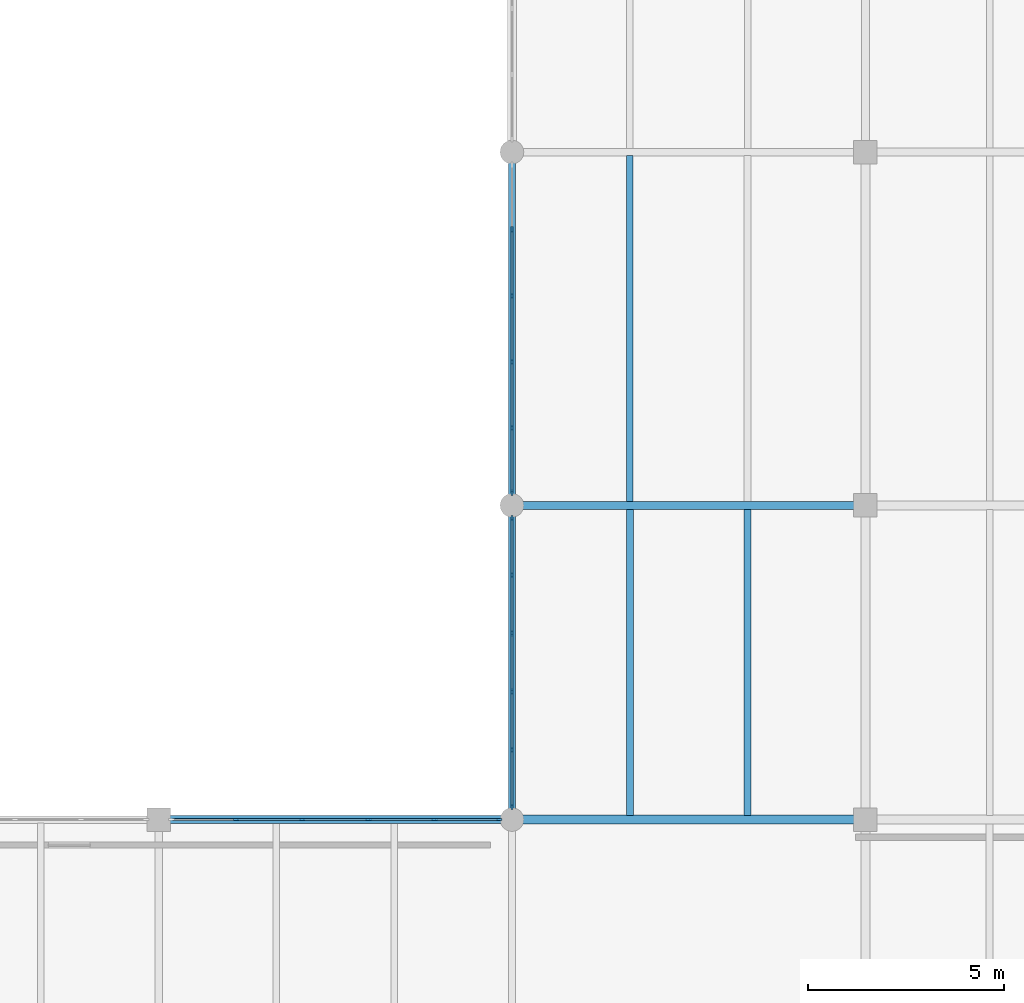
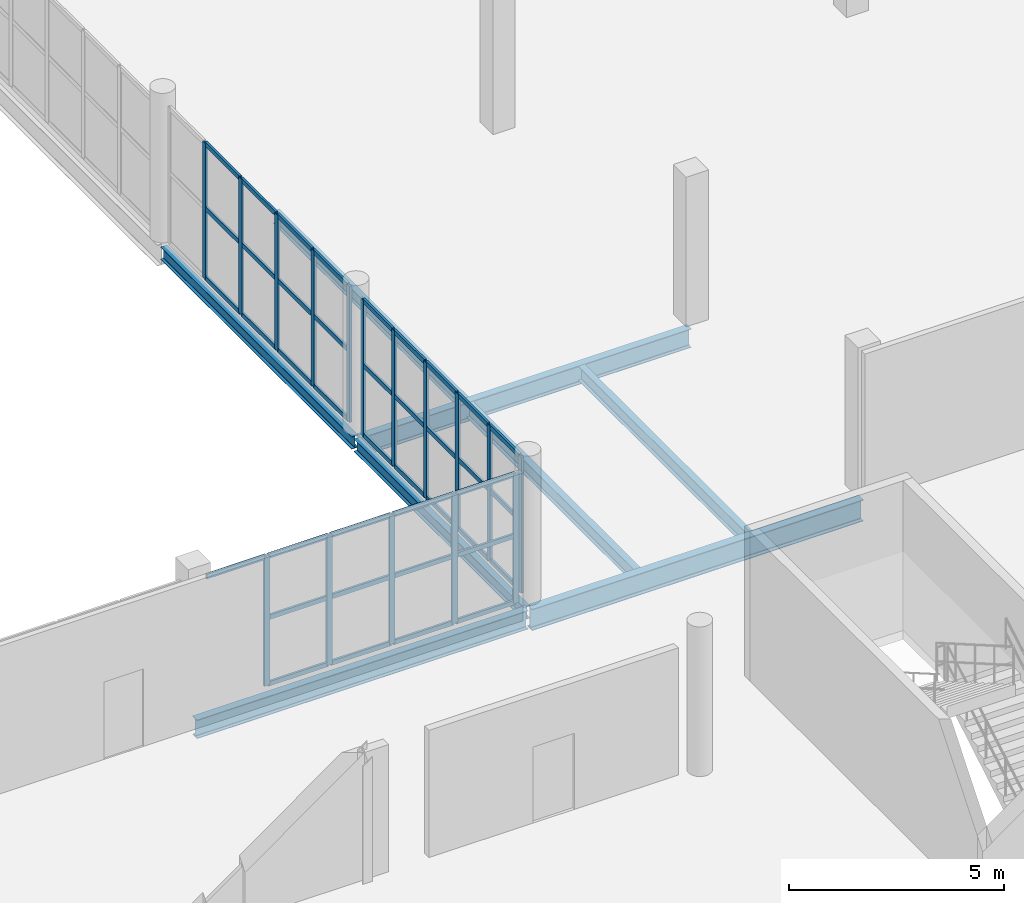
# One storey, part 41 of 73: 56 members, 8 beams, 3 elements without a shape of their own.
"""IFC4 building model written with IfcOpenShell, lengths in metres."""

from ifc_helpers import new_model, si_unit, direction, frame, origin, origin_2d, place, context, subcontext, project, spatial, rectangle, i_section, extrude, material, layer, layer_set, material_profile, profile_set, type_object, element, aggregate, save


model = new_model("IFC4")

# Units and contexts
model_context = context("Model", 3, precision=1e-05, world=origin(), true_north=direction((0.0, 1.0)))
body_context = subcontext(model_context, "Body", "Model", "MODEL_VIEW")
ifc_project = project(units=[si_unit("LENGTHUNIT", "METRE"), si_unit("AREAUNIT", "SQUARE_METRE"), si_unit("VOLUMEUNIT", "CUBIC_METRE"), si_unit("PLANEANGLEUNIT", "RADIAN"), si_unit("MASSUNIT", "GRAM", prefix="KILO")], contexts=[model_context])

# Site, building, storey
site_placement = place(None, origin())
site = spatial("IfcSite", under=ifc_project, at=site_placement, CompositionType="ELEMENT")
building_placement = place(site_placement, origin())
building = spatial("IfcBuilding", under=site, at=building_placement, Name="Marnock Terrace Opera House", CompositionType="ELEMENT")
storey_placement = place(building_placement, frame((0.0, 0.0, 14.699951171875)))
storey = spatial("IfcBuildingStorey", under=building, at=storey_placement, Name="L03", CompositionType="ELEMENT", Elevation=14.699951171875)

# Beams
ifc_material_1 = material(Name="Steel Grade 350 (AS/NZS 3679.1)", Category="steel")
ifc_material_profile_1 = material_profile(ifc_material_1, i_section(OverallWidth=0.1708984375, OverallDepth=0.355712890625, WebThickness=0.00732421875, FlangeThickness=0.011474609375, FilletRadius=0.011474609375, at=origin_2d()))
ifc_profile_set_1 = profile_set([ifc_material_profile_1], Name="Steel Grade 350 (AS/NZS 3679.1)")
beam_type_1 = type_object("IfcBeamType", Name="BM-GIRD-360", PredefinedType="BEAM", material=ifc_profile_set_1)
beam_1_placement = place(storey_placement, frame((136.0, 40.050048828125, -0.437744140625), z_axis=(0.0, 1.0, 0.0), x_axis=(-1.0, 0.0, 0.0)))
element("IfcBeam", 1, at=beam_1_placement, inside=storey, type_object=beam_type_1, Name="L03 girder (X=136.0, 40.0..48.0)", PredefinedType="BEAM", context=body_context, shape_type="SweptSolid", body=[
    extrude(i_section(OverallWidth=0.1708984375, OverallDepth=0.355712890625, WebThickness=0.00732421875, FlangeThickness=0.011474609375, FilletRadius=0.011474609375, at=origin_2d()), origin(), (0.0, 0.0, 1.0), 7.89990234375),
])
beam_2_placement = place(storey_placement, frame((136.0, 48.050048828125, -0.437744140625), z_axis=(0.0, 1.0, 0.0), x_axis=(-1.0, 0.0, 0.0)))
element("IfcBeam", 2, at=beam_2_placement, inside=storey, type_object=beam_type_1, Name="L03 girder (X=136.0, 48.0..57.0)", PredefinedType="BEAM", context=body_context, shape_type="SweptSolid", body=[
    extrude(i_section(OverallWidth=0.1708984375, OverallDepth=0.355712890625, WebThickness=0.00732421875, FlangeThickness=0.011474609375, FilletRadius=0.011474609375, at=origin_2d()), origin(), (0.0, 0.0, 1.0), 8.89990234375),
])
ifc_material_profile_2 = material_profile(ifc_material_1, i_section(OverallWidth=0.208984375, OverallDepth=0.532958984375, WebThickness=0.01025390625, FlangeThickness=0.015625, FilletRadius=0.013916015625, at=origin_2d()))
ifc_profile_set_2 = profile_set([ifc_material_profile_2], Name="Steel Grade 350 (AS/NZS 3679.1)")
beam_type_2 = type_object("IfcBeamType", Name="BM-GIRD-530A", PredefinedType="BEAM", material=ifc_profile_set_2)
for number, where, z_axis, x_axis, name in (
    (3, (127.050048828125, 40.0, -0.5263671875), (1.0, 0.0, 0.0), (0.0, 1.0, 0.0), "L03 girder (127.0..136.0, Y=40.0)"),
    (4, (136.050048828125, 48.0, -0.5263671875), (1.0, 0.0, 0.0), (0.0, 1.0, 0.0), "L03 girder (136.0..145.0, Y=48.0)"),
):
    element("IfcBeam", number, at=place(storey_placement, frame(where, z_axis=z_axis, x_axis=x_axis)), inside=storey, type_object=beam_type_2, Name=name, PredefinedType="BEAM", context=body_context, shape_type="SweptSolid", body=[
        extrude(i_section(OverallWidth=0.208984375, OverallDepth=0.532958984375, WebThickness=0.01025390625, FlangeThickness=0.015625, FilletRadius=0.013916015625, at=origin_2d()), origin(), (0.0, 0.0, 1.0), 8.89990234375),
    ])
ifc_material_profile_3 = material_profile(ifc_material_1, i_section(OverallWidth=0.22802734375, OverallDepth=0.60693359375, WebThickness=0.01123046875, FlangeThickness=0.017333984375, FilletRadius=0.013916015625, at=origin_2d()))
ifc_profile_set_3 = profile_set([ifc_material_profile_3], Name="Steel Grade 350 (AS/NZS 3679.1)")
beam_type_3 = type_object("IfcBeamType", Name="BM-GIRD-610B", PredefinedType="BEAM", material=ifc_profile_set_3)
beam_3_placement = place(storey_placement, frame((136.050048828125, 40.0, -0.5634765625), z_axis=(1.0, 0.0, 0.0), x_axis=(0.0, 1.0, 0.0)))
element("IfcBeam", 5, at=beam_3_placement, inside=storey, type_object=beam_type_3, Name="L03 girder (136.0..145.0, Y=40.0)", PredefinedType="BEAM", context=body_context, shape_type="SweptSolid", body=[
    extrude(i_section(OverallWidth=0.22802734375, OverallDepth=0.60693359375, WebThickness=0.01123046875, FlangeThickness=0.017333984375, FilletRadius=0.013916015625, at=origin_2d()), origin(), (0.0, 0.0, 1.0), 8.89990234375),
])
ifc_material_profile_4 = material_profile(ifc_material_1, i_section(OverallWidth=0.172119140625, OverallDepth=0.358642578125, WebThickness=0.008056640625, FlangeThickness=0.012939453125, FilletRadius=0.011474609375, at=origin_2d()))
ifc_profile_set_4 = profile_set([ifc_material_profile_4], Name="Steel Grade 350 (AS/NZS 3679.1)")
beam_type_4 = type_object("IfcBeamType", Name="BM-JOIST-360", PredefinedType="JOIST", material=ifc_profile_set_4)
beam_4_placement = place(storey_placement, frame((139.0, 48.099609375, -0.439208984375), z_axis=(0.0, 1.0, 0.0), x_axis=(-1.0, 0.0, 0.0)))
element("IfcBeam", 6, at=beam_4_placement, inside=storey, type_object=beam_type_4, Name="L03 secondary joist 15.6.1", PredefinedType="JOIST", context=body_context, shape_type="SweptSolid", body=[
    extrude(i_section(OverallWidth=0.172119140625, OverallDepth=0.358642578125, WebThickness=0.008056640625, FlangeThickness=0.012939453125, FilletRadius=0.011474609375, at=origin_2d()), origin(), (0.0, 0.0, 1.0), 8.809814453125),
])
ifc_material_profile_5 = material_profile(ifc_material_1, i_section(OverallWidth=0.177978515625, OverallDepth=0.406494140625, WebThickness=0.0078125, FlangeThickness=0.0126953125, FilletRadius=0.011474609375, at=origin_2d()))
ifc_profile_set_5 = profile_set([ifc_material_profile_5], Name="Steel Grade 350 (AS/NZS 3679.1)")
beam_type_5 = type_object("IfcBeamType", Name="BM-JOIST-410", PredefinedType="JOIST", material=ifc_profile_set_5)
for number, where, z_axis, x_axis, name in (
    (7, (139.0, 40.10888671875, -0.463134765625), (0.0, 1.0, 0.0), (-1.0, 0.0, 0.0), "L03 secondary joist 15.5.1"),
    (8, (142.0, 40.10888671875, -0.463134765625), (0.0, 1.0, 0.0), (-1.0, 0.0, 0.0), "L03 secondary joist 15.5.2"),
):
    element("IfcBeam", number, at=place(storey_placement, frame(where, z_axis=z_axis, x_axis=x_axis)), inside=storey, type_object=beam_type_5, Name=name, PredefinedType="JOIST", context=body_context, shape_type="SweptSolid", body=[
        extrude(i_section(OverallWidth=0.177978515625, OverallDepth=0.406494140625, WebThickness=0.0078125, FlangeThickness=0.0126953125, FilletRadius=0.011474609375, at=origin_2d()), origin(), (0.0, 0.0, 1.0), 7.79150390625),
    ])

# Curtain wall, members
ifc_material_2 = material(Name="Anodised architectural bronze aluminium framing", Category="aluminium")
ifc_layer = layer(ifc_material_2, 0.159912109375)
ifc_layer_set = layer_set([ifc_layer], Name="Anodised architectural bronze aluminium framing")
curtain_wall_type = type_object("IfcCurtainWallType", Name="CW-LOGGIA-86x42", PredefinedType="NOTDEFINED", material=ifc_layer_set)
curtain_wall_1_placement = place(storey_placement, origin())
curtain_wall_1 = element("IfcCurtainWall", 9, at=curtain_wall_1_placement, inside=storey, type_object=curtain_wall_type, Name="L03 glazed Beaux-Arts colonnade curtain wall CW-V5-L03-CS2", PredefinedType="NOTDEFINED")
ifc_material_profile_6 = material_profile(ifc_material_2, rectangle(XDim=0.06005859375, YDim=0.14990234375, at=origin_2d()))
ifc_profile_set_6 = profile_set([ifc_material_profile_6], Name="Anodised architectural bronze aluminium framing")
member_type_1 = type_object("IfcMemberType", Name="CWM-60x150", PredefinedType="MULLION", material=ifc_profile_set_6)
member_1_placement = place(storey_placement, frame((128.9775390625, 40.0, 0.0), z_axis=(0.0, 0.0, 1.0), x_axis=(0.0, 1.0, 0.0)))
member_1 = element("IfcMember", 10, at=member_1_placement, type_object=member_type_1, Name="CW-66 mullion 2", PredefinedType="MULLION", context=body_context, shape_type="SweptSolid", body=[
    extrude(rectangle(XDim=0.06005859375, YDim=0.14990234375, at=origin_2d()), origin(), (0.0, 0.0, 1.0), 3.68701171875),
])
member_2_placement = place(storey_placement, frame((130.6591796875, 40.0, 0.0), z_axis=(0.0, 0.0, 1.0), x_axis=(0.0, 1.0, 0.0)))
member_2 = element("IfcMember", 11, at=member_2_placement, type_object=member_type_1, Name="CW-66 mullion 3", PredefinedType="MULLION", context=body_context, shape_type="SweptSolid", body=[
    extrude(rectangle(XDim=0.06005859375, YDim=0.14990234375, at=origin_2d()), origin(), (0.0, 0.0, 1.0), 3.68701171875),
])
member_3_placement = place(storey_placement, frame((132.3408203125, 40.0, 0.0), z_axis=(0.0, 0.0, 1.0), x_axis=(0.0, 1.0, 0.0)))
member_3 = element("IfcMember", 12, at=member_3_placement, type_object=member_type_1, Name="CW-66 mullion 4", PredefinedType="MULLION", context=body_context, shape_type="SweptSolid", body=[
    extrude(rectangle(XDim=0.06005859375, YDim=0.14990234375, at=origin_2d()), origin(), (0.0, 0.0, 1.0), 3.68701171875),
])
member_4_placement = place(storey_placement, frame((134.0224609375, 40.0, 0.0), z_axis=(0.0, 0.0, 1.0), x_axis=(0.0, 1.0, 0.0)))
member_4 = element("IfcMember", 13, at=member_4_placement, type_object=member_type_1, Name="CW-66 mullion 5", PredefinedType="MULLION", context=body_context, shape_type="SweptSolid", body=[
    extrude(rectangle(XDim=0.06005859375, YDim=0.14990234375, at=origin_2d()), origin(), (0.0, 0.0, 1.0), 3.68701171875),
])
member_5_placement = place(storey_placement, frame((135.674072265625, 40.0, 0.0), z_axis=(0.0, 0.0, 1.0), x_axis=(0.0, 1.0, 0.0)))
member_5 = element("IfcMember", 14, at=member_5_placement, type_object=member_type_1, Name="CW-66 mullion 6", PredefinedType="MULLION", context=body_context, shape_type="SweptSolid", body=[
    extrude(rectangle(XDim=0.06005859375, YDim=0.14990234375, at=origin_2d()), origin(), (0.0, 0.0, 1.0), 3.68701171875),
])

curtain_wall_2_placement = place(storey_placement, origin())
curtain_wall_2 = element("IfcCurtainWall", 15, at=curtain_wall_2_placement, inside=storey, type_object=curtain_wall_type, Name="L03 glazed Beaux-Arts colonnade curtain wall CW-V5-L03-CE1", PredefinedType="NOTDEFINED")
member_6_placement = place(storey_placement, frame((136.0, 40.325927734375, 0.0), z_axis=(0.0, 0.0, 1.0), x_axis=(-1.0, 0.0, 0.0)))
member_6 = element("IfcMember", 16, at=member_6_placement, type_object=member_type_1, Name="CW-66 mullion 1", PredefinedType="MULLION", context=body_context, shape_type="SweptSolid", body=[
    extrude(rectangle(XDim=0.06005859375, YDim=0.14990234375, at=origin_2d()), origin(), (0.0, 0.0, 1.0), 3.864501953125),
])
member_7_placement = place(storey_placement, frame((136.0, 41.777587890625, 0.0), z_axis=(0.0, 0.0, 1.0), x_axis=(-1.0, 0.0, 0.0)))
member_7 = element("IfcMember", 17, at=member_7_placement, type_object=member_type_1, Name="CW-66 mullion 2", PredefinedType="MULLION", context=body_context, shape_type="SweptSolid", body=[
    extrude(rectangle(XDim=0.06005859375, YDim=0.14990234375, at=origin_2d()), origin(), (0.0, 0.0, 1.0), 3.864501953125),
])
member_8_placement = place(storey_placement, frame((136.0, 43.25927734375, 0.0), z_axis=(0.0, 0.0, 1.0), x_axis=(-1.0, 0.0, 0.0)))
member_8 = element("IfcMember", 18, at=member_8_placement, type_object=member_type_1, Name="CW-66 mullion 3", PredefinedType="MULLION", context=body_context, shape_type="SweptSolid", body=[
    extrude(rectangle(XDim=0.06005859375, YDim=0.14990234375, at=origin_2d()), origin(), (0.0, 0.0, 1.0), 3.864501953125),
])
member_9_placement = place(storey_placement, frame((136.0, 44.74072265625, 0.0), z_axis=(0.0, 0.0, 1.0), x_axis=(-1.0, 0.0, 0.0)))
member_9 = element("IfcMember", 19, at=member_9_placement, type_object=member_type_1, Name="CW-66 mullion 4", PredefinedType="MULLION", context=body_context, shape_type="SweptSolid", body=[
    extrude(rectangle(XDim=0.06005859375, YDim=0.14990234375, at=origin_2d()), origin(), (0.0, 0.0, 1.0), 3.864501953125),
])
member_10_placement = place(storey_placement, frame((136.0, 46.222412109375, 0.0), z_axis=(0.0, 0.0, 1.0), x_axis=(-1.0, 0.0, 0.0)))
member_10 = element("IfcMember", 20, at=member_10_placement, type_object=member_type_1, Name="CW-66 mullion 5", PredefinedType="MULLION", context=body_context, shape_type="SweptSolid", body=[
    extrude(rectangle(XDim=0.06005859375, YDim=0.14990234375, at=origin_2d()), origin(), (0.0, 0.0, 1.0), 3.864501953125),
])
member_11_placement = place(storey_placement, frame((136.0, 47.674072265625, 0.0), z_axis=(0.0, 0.0, 1.0), x_axis=(-1.0, 0.0, 0.0)))
member_11 = element("IfcMember", 21, at=member_11_placement, type_object=member_type_1, Name="CW-66 mullion 6", PredefinedType="MULLION", context=body_context, shape_type="SweptSolid", body=[
    extrude(rectangle(XDim=0.06005859375, YDim=0.14990234375, at=origin_2d()), origin(), (0.0, 0.0, 1.0), 3.864501953125),
])

curtain_wall_3_placement = place(storey_placement, origin())
curtain_wall_3 = element("IfcCurtainWall", 22, at=curtain_wall_3_placement, inside=storey, type_object=curtain_wall_type, Name="L03 glazed Beaux-Arts colonnade curtain wall CW-V5-L03-CE2", PredefinedType="NOTDEFINED")
member_12_placement = place(storey_placement, frame((136.0, 48.325927734375, 0.0), z_axis=(0.0, 0.0, 1.0), x_axis=(-1.0, 0.0, 0.0)))
member_12 = element("IfcMember", 23, at=member_12_placement, type_object=member_type_1, Name="CW-66 mullion 1", PredefinedType="MULLION", context=body_context, shape_type="SweptSolid", body=[
    extrude(rectangle(XDim=0.06005859375, YDim=0.14990234375, at=origin_2d()), origin(), (0.0, 0.0, 1.0), 3.864501953125),
])
member_13_placement = place(storey_placement, frame((136.0, 49.9775390625, 0.0), z_axis=(0.0, 0.0, 1.0), x_axis=(-1.0, 0.0, 0.0)))
member_13 = element("IfcMember", 24, at=member_13_placement, type_object=member_type_1, Name="CW-66 mullion 2", PredefinedType="MULLION", context=body_context, shape_type="SweptSolid", body=[
    extrude(rectangle(XDim=0.06005859375, YDim=0.14990234375, at=origin_2d()), origin(), (0.0, 0.0, 1.0), 3.864501953125),
])
member_14_placement = place(storey_placement, frame((136.0, 51.6591796875, 0.0), z_axis=(0.0, 0.0, 1.0), x_axis=(-1.0, 0.0, 0.0)))
member_14 = element("IfcMember", 25, at=member_14_placement, type_object=member_type_1, Name="CW-66 mullion 3", PredefinedType="MULLION", context=body_context, shape_type="SweptSolid", body=[
    extrude(rectangle(XDim=0.06005859375, YDim=0.14990234375, at=origin_2d()), origin(), (0.0, 0.0, 1.0), 3.864501953125),
])
member_15_placement = place(storey_placement, frame((136.0, 53.3408203125, 0.0), z_axis=(0.0, 0.0, 1.0), x_axis=(-1.0, 0.0, 0.0)))
member_15 = element("IfcMember", 26, at=member_15_placement, type_object=member_type_1, Name="CW-66 mullion 4", PredefinedType="MULLION", context=body_context, shape_type="SweptSolid", body=[
    extrude(rectangle(XDim=0.06005859375, YDim=0.14990234375, at=origin_2d()), origin(), (0.0, 0.0, 1.0), 3.864501953125),
])
member_16_placement = place(storey_placement, frame((136.0, 55.0224609375, 0.0), z_axis=(0.0, 0.0, 1.0), x_axis=(-1.0, 0.0, 0.0)))
member_16 = element("IfcMember", 27, at=member_16_placement, type_object=member_type_1, Name="CW-66 mullion 5", PredefinedType="MULLION", context=body_context, shape_type="SweptSolid", body=[
    extrude(rectangle(XDim=0.06005859375, YDim=0.14990234375, at=origin_2d()), origin(), (0.0, 0.0, 1.0), 3.864501953125),
])

# Member
ifc_material_profile_7 = material_profile(ifc_material_2, rectangle(XDim=0.06005859375, YDim=0.1298828125, at=origin_2d()))
ifc_profile_set_7 = profile_set([ifc_material_profile_7], Name="Anodised architectural bronze aluminium framing")
member_type_2 = type_object("IfcMemberType", Name="CWT-60x130", PredefinedType="USERDEFINED", material=ifc_profile_set_7)
member_17_placement = place(storey_placement, frame((127.35595703125, 40.0, 3.656982421875), z_axis=(1.0, 0.0, 0.0), x_axis=(0.0, 1.0, 0.0)))
member_17 = element("IfcMember", 28, at=member_17_placement, type_object=member_type_2, Name="CW-66 transom 1.3", ObjectType="TRANSOM", PredefinedType="USERDEFINED", context=body_context, shape_type="SweptSolid", body=[
    extrude(rectangle(XDim=0.06005859375, YDim=0.1298828125, at=origin_2d()), origin(), (0.0, 0.0, 1.0), 1.591552734375),
])

member_18_placement = place(storey_placement, frame((129.007568359375, 40.0, 0.030029296875), z_axis=(1.0, 0.0, 0.0), x_axis=(0.0, 1.0, 0.0)))
member_18 = element("IfcMember", 29, at=member_18_placement, type_object=member_type_2, Name="CW-66 transom 2.1", ObjectType="TRANSOM", PredefinedType="USERDEFINED", context=body_context, shape_type="SweptSolid", body=[
    extrude(rectangle(XDim=0.06005859375, YDim=0.1298828125, at=origin_2d()), origin(), (0.0, 0.0, 1.0), 1.62158203125),
])

member_19_placement = place(storey_placement, frame((129.007568359375, 40.0, 1.917236328125), z_axis=(1.0, 0.0, 0.0), x_axis=(0.0, 1.0, 0.0)))
member_19 = element("IfcMember", 30, at=member_19_placement, type_object=member_type_2, Name="CW-66 transom 2.2", ObjectType="TRANSOM", PredefinedType="USERDEFINED", context=body_context, shape_type="SweptSolid", body=[
    extrude(rectangle(XDim=0.06005859375, YDim=0.1298828125, at=origin_2d()), origin(), (0.0, 0.0, 1.0), 1.62158203125),
])

member_20_placement = place(storey_placement, frame((129.007568359375, 40.0, 3.656982421875), z_axis=(1.0, 0.0, 0.0), x_axis=(0.0, 1.0, 0.0)))
member_20 = element("IfcMember", 31, at=member_20_placement, type_object=member_type_2, Name="CW-66 transom 2.3", ObjectType="TRANSOM", PredefinedType="USERDEFINED", context=body_context, shape_type="SweptSolid", body=[
    extrude(rectangle(XDim=0.06005859375, YDim=0.1298828125, at=origin_2d()), origin(), (0.0, 0.0, 1.0), 1.62158203125),
])

member_21_placement = place(storey_placement, frame((130.689208984375, 40.0, 0.030029296875), z_axis=(1.0, 0.0, 0.0), x_axis=(0.0, 1.0, 0.0)))
member_21 = element("IfcMember", 32, at=member_21_placement, type_object=member_type_2, Name="CW-66 transom 3.1", ObjectType="TRANSOM", PredefinedType="USERDEFINED", context=body_context, shape_type="SweptSolid", body=[
    extrude(rectangle(XDim=0.06005859375, YDim=0.1298828125, at=origin_2d()), origin(), (0.0, 0.0, 1.0), 1.62158203125),
])

member_22_placement = place(storey_placement, frame((130.689208984375, 40.0, 1.917236328125), z_axis=(1.0, 0.0, 0.0), x_axis=(0.0, 1.0, 0.0)))
member_22 = element("IfcMember", 33, at=member_22_placement, type_object=member_type_2, Name="CW-66 transom 3.2", ObjectType="TRANSOM", PredefinedType="USERDEFINED", context=body_context, shape_type="SweptSolid", body=[
    extrude(rectangle(XDim=0.06005859375, YDim=0.1298828125, at=origin_2d()), origin(), (0.0, 0.0, 1.0), 1.62158203125),
])

member_23_placement = place(storey_placement, frame((130.689208984375, 40.0, 3.656982421875), z_axis=(1.0, 0.0, 0.0), x_axis=(0.0, 1.0, 0.0)))
member_23 = element("IfcMember", 34, at=member_23_placement, type_object=member_type_2, Name="CW-66 transom 3.3", ObjectType="TRANSOM", PredefinedType="USERDEFINED", context=body_context, shape_type="SweptSolid", body=[
    extrude(rectangle(XDim=0.06005859375, YDim=0.1298828125, at=origin_2d()), origin(), (0.0, 0.0, 1.0), 1.62158203125),
])

member_24_placement = place(storey_placement, frame((132.370849609375, 40.0, 0.030029296875), z_axis=(1.0, 0.0, 0.0), x_axis=(0.0, 1.0, 0.0)))
member_24 = element("IfcMember", 35, at=member_24_placement, type_object=member_type_2, Name="CW-66 transom 4.1", ObjectType="TRANSOM", PredefinedType="USERDEFINED", context=body_context, shape_type="SweptSolid", body=[
    extrude(rectangle(XDim=0.06005859375, YDim=0.1298828125, at=origin_2d()), origin(), (0.0, 0.0, 1.0), 1.62158203125),
])

member_25_placement = place(storey_placement, frame((132.370849609375, 40.0, 1.917236328125), z_axis=(1.0, 0.0, 0.0), x_axis=(0.0, 1.0, 0.0)))
member_25 = element("IfcMember", 36, at=member_25_placement, type_object=member_type_2, Name="CW-66 transom 4.2", ObjectType="TRANSOM", PredefinedType="USERDEFINED", context=body_context, shape_type="SweptSolid", body=[
    extrude(rectangle(XDim=0.06005859375, YDim=0.1298828125, at=origin_2d()), origin(), (0.0, 0.0, 1.0), 1.62158203125),
])

member_26_placement = place(storey_placement, frame((132.370849609375, 40.0, 3.656982421875), z_axis=(1.0, 0.0, 0.0), x_axis=(0.0, 1.0, 0.0)))
member_26 = element("IfcMember", 37, at=member_26_placement, type_object=member_type_2, Name="CW-66 transom 4.3", ObjectType="TRANSOM", PredefinedType="USERDEFINED", context=body_context, shape_type="SweptSolid", body=[
    extrude(rectangle(XDim=0.06005859375, YDim=0.1298828125, at=origin_2d()), origin(), (0.0, 0.0, 1.0), 1.62158203125),
])

member_27_placement = place(storey_placement, frame((134.052490234375, 40.0, 0.030029296875), z_axis=(1.0, 0.0, 0.0), x_axis=(0.0, 1.0, 0.0)))
member_27 = element("IfcMember", 38, at=member_27_placement, type_object=member_type_2, Name="CW-66 transom 5.1", ObjectType="TRANSOM", PredefinedType="USERDEFINED", context=body_context, shape_type="SweptSolid", body=[
    extrude(rectangle(XDim=0.06005859375, YDim=0.1298828125, at=origin_2d()), origin(), (0.0, 0.0, 1.0), 1.591552734375),
])

member_28_placement = place(storey_placement, frame((134.052490234375, 40.0, 1.917236328125), z_axis=(1.0, 0.0, 0.0), x_axis=(0.0, 1.0, 0.0)))
member_28 = element("IfcMember", 39, at=member_28_placement, type_object=member_type_2, Name="CW-66 transom 5.2", ObjectType="TRANSOM", PredefinedType="USERDEFINED", context=body_context, shape_type="SweptSolid", body=[
    extrude(rectangle(XDim=0.06005859375, YDim=0.1298828125, at=origin_2d()), origin(), (0.0, 0.0, 1.0), 1.591552734375),
])

member_29_placement = place(storey_placement, frame((134.052490234375, 40.0, 3.656982421875), z_axis=(1.0, 0.0, 0.0), x_axis=(0.0, 1.0, 0.0)))
member_29 = element("IfcMember", 40, at=member_29_placement, type_object=member_type_2, Name="CW-66 transom 5.3", ObjectType="TRANSOM", PredefinedType="USERDEFINED", context=body_context, shape_type="SweptSolid", body=[
    extrude(rectangle(XDim=0.06005859375, YDim=0.1298828125, at=origin_2d()), origin(), (0.0, 0.0, 1.0), 1.591552734375),
])

aggregate(curtain_wall_1, [member_1, member_2, member_3, member_4, member_5, member_17, member_18, member_19, member_20, member_21, member_22, member_23, member_24, member_25, member_26, member_27, member_28, member_29])

member_30_placement = place(storey_placement, frame((136.0, 40.35595703125, 0.030029296875), z_axis=(0.0, 1.0, 0.0), x_axis=(-1.0, 0.0, 0.0)))
member_30 = element("IfcMember", 41, at=member_30_placement, type_object=member_type_2, Name="CW-66 transom 1.1", ObjectType="TRANSOM", PredefinedType="USERDEFINED", context=body_context, shape_type="SweptSolid", body=[
    extrude(rectangle(XDim=0.06005859375, YDim=0.1298828125, at=origin_2d()), origin(), (0.0, 0.0, 1.0), 1.3916015625),
])

member_31_placement = place(storey_placement, frame((136.0, 40.35595703125, 2.009521484375), z_axis=(0.0, 1.0, 0.0), x_axis=(-1.0, 0.0, 0.0)))
member_31 = element("IfcMember", 42, at=member_31_placement, type_object=member_type_2, Name="CW-66 transom 1.2", ObjectType="TRANSOM", PredefinedType="USERDEFINED", context=body_context, shape_type="SweptSolid", body=[
    extrude(rectangle(XDim=0.06005859375, YDim=0.1298828125, at=origin_2d()), origin(), (0.0, 0.0, 1.0), 1.3916015625),
])

member_32_placement = place(storey_placement, frame((136.0, 40.35595703125, 3.83447265625), z_axis=(0.0, 1.0, 0.0), x_axis=(-1.0, 0.0, 0.0)))
member_32 = element("IfcMember", 43, at=member_32_placement, type_object=member_type_2, Name="CW-66 transom 1.3", ObjectType="TRANSOM", PredefinedType="USERDEFINED", context=body_context, shape_type="SweptSolid", body=[
    extrude(rectangle(XDim=0.06005859375, YDim=0.1298828125, at=origin_2d()), origin(), (0.0, 0.0, 1.0), 1.3916015625),
])

member_33_placement = place(storey_placement, frame((136.0, 41.8076171875, 0.030029296875), z_axis=(0.0, 1.0, 0.0), x_axis=(-1.0, 0.0, 0.0)))
member_33 = element("IfcMember", 44, at=member_33_placement, type_object=member_type_2, Name="CW-66 transom 2.1", ObjectType="TRANSOM", PredefinedType="USERDEFINED", context=body_context, shape_type="SweptSolid", body=[
    extrude(rectangle(XDim=0.06005859375, YDim=0.1298828125, at=origin_2d()), origin(), (0.0, 0.0, 1.0), 1.421630859375),
])

member_34_placement = place(storey_placement, frame((136.0, 41.8076171875, 2.009521484375), z_axis=(0.0, 1.0, 0.0), x_axis=(-1.0, 0.0, 0.0)))
member_34 = element("IfcMember", 45, at=member_34_placement, type_object=member_type_2, Name="CW-66 transom 2.2", ObjectType="TRANSOM", PredefinedType="USERDEFINED", context=body_context, shape_type="SweptSolid", body=[
    extrude(rectangle(XDim=0.06005859375, YDim=0.1298828125, at=origin_2d()), origin(), (0.0, 0.0, 1.0), 1.421630859375),
])

member_35_placement = place(storey_placement, frame((136.0, 41.8076171875, 3.83447265625), z_axis=(0.0, 1.0, 0.0), x_axis=(-1.0, 0.0, 0.0)))
member_35 = element("IfcMember", 46, at=member_35_placement, type_object=member_type_2, Name="CW-66 transom 2.3", ObjectType="TRANSOM", PredefinedType="USERDEFINED", context=body_context, shape_type="SweptSolid", body=[
    extrude(rectangle(XDim=0.06005859375, YDim=0.1298828125, at=origin_2d()), origin(), (0.0, 0.0, 1.0), 1.421630859375),
])

member_36_placement = place(storey_placement, frame((136.0, 43.289306640625, 0.030029296875), z_axis=(0.0, 1.0, 0.0), x_axis=(-1.0, 0.0, 0.0)))
member_36 = element("IfcMember", 47, at=member_36_placement, type_object=member_type_2, Name="CW-66 transom 3.1", ObjectType="TRANSOM", PredefinedType="USERDEFINED", context=body_context, shape_type="SweptSolid", body=[
    extrude(rectangle(XDim=0.06005859375, YDim=0.1298828125, at=origin_2d()), origin(), (0.0, 0.0, 1.0), 1.42138671875),
])

member_37_placement = place(storey_placement, frame((136.0, 43.289306640625, 2.009521484375), z_axis=(0.0, 1.0, 0.0), x_axis=(-1.0, 0.0, 0.0)))
member_37 = element("IfcMember", 48, at=member_37_placement, type_object=member_type_2, Name="CW-66 transom 3.2", ObjectType="TRANSOM", PredefinedType="USERDEFINED", context=body_context, shape_type="SweptSolid", body=[
    extrude(rectangle(XDim=0.06005859375, YDim=0.1298828125, at=origin_2d()), origin(), (0.0, 0.0, 1.0), 1.42138671875),
])

member_38_placement = place(storey_placement, frame((136.0, 43.289306640625, 3.83447265625), z_axis=(0.0, 1.0, 0.0), x_axis=(-1.0, 0.0, 0.0)))
member_38 = element("IfcMember", 49, at=member_38_placement, type_object=member_type_2, Name="CW-66 transom 3.3", ObjectType="TRANSOM", PredefinedType="USERDEFINED", context=body_context, shape_type="SweptSolid", body=[
    extrude(rectangle(XDim=0.06005859375, YDim=0.1298828125, at=origin_2d()), origin(), (0.0, 0.0, 1.0), 1.42138671875),
])

member_39_placement = place(storey_placement, frame((136.0, 44.770751953125, 0.030029296875), z_axis=(0.0, 1.0, 0.0), x_axis=(-1.0, 0.0, 0.0)))
member_39 = element("IfcMember", 50, at=member_39_placement, type_object=member_type_2, Name="CW-66 transom 4.1", ObjectType="TRANSOM", PredefinedType="USERDEFINED", context=body_context, shape_type="SweptSolid", body=[
    extrude(rectangle(XDim=0.06005859375, YDim=0.1298828125, at=origin_2d()), origin(), (0.0, 0.0, 1.0), 1.421630859375),
])

member_40_placement = place(storey_placement, frame((136.0, 44.770751953125, 2.009521484375), z_axis=(0.0, 1.0, 0.0), x_axis=(-1.0, 0.0, 0.0)))
member_40 = element("IfcMember", 51, at=member_40_placement, type_object=member_type_2, Name="CW-66 transom 4.2", ObjectType="TRANSOM", PredefinedType="USERDEFINED", context=body_context, shape_type="SweptSolid", body=[
    extrude(rectangle(XDim=0.06005859375, YDim=0.1298828125, at=origin_2d()), origin(), (0.0, 0.0, 1.0), 1.421630859375),
])

member_41_placement = place(storey_placement, frame((136.0, 44.770751953125, 3.83447265625), z_axis=(0.0, 1.0, 0.0), x_axis=(-1.0, 0.0, 0.0)))
member_41 = element("IfcMember", 52, at=member_41_placement, type_object=member_type_2, Name="CW-66 transom 4.3", ObjectType="TRANSOM", PredefinedType="USERDEFINED", context=body_context, shape_type="SweptSolid", body=[
    extrude(rectangle(XDim=0.06005859375, YDim=0.1298828125, at=origin_2d()), origin(), (0.0, 0.0, 1.0), 1.421630859375),
])

member_42_placement = place(storey_placement, frame((136.0, 46.25244140625, 0.030029296875), z_axis=(0.0, 1.0, 0.0), x_axis=(-1.0, 0.0, 0.0)))
member_42 = element("IfcMember", 53, at=member_42_placement, type_object=member_type_2, Name="CW-66 transom 5.1", ObjectType="TRANSOM", PredefinedType="USERDEFINED", context=body_context, shape_type="SweptSolid", body=[
    extrude(rectangle(XDim=0.06005859375, YDim=0.1298828125, at=origin_2d()), origin(), (0.0, 0.0, 1.0), 1.3916015625),
])

member_43_placement = place(storey_placement, frame((136.0, 46.25244140625, 2.009521484375), z_axis=(0.0, 1.0, 0.0), x_axis=(-1.0, 0.0, 0.0)))
member_43 = element("IfcMember", 54, at=member_43_placement, type_object=member_type_2, Name="CW-66 transom 5.2", ObjectType="TRANSOM", PredefinedType="USERDEFINED", context=body_context, shape_type="SweptSolid", body=[
    extrude(rectangle(XDim=0.06005859375, YDim=0.1298828125, at=origin_2d()), origin(), (0.0, 0.0, 1.0), 1.3916015625),
])

member_44_placement = place(storey_placement, frame((136.0, 46.25244140625, 3.83447265625), z_axis=(0.0, 1.0, 0.0), x_axis=(-1.0, 0.0, 0.0)))
member_44 = element("IfcMember", 55, at=member_44_placement, type_object=member_type_2, Name="CW-66 transom 5.3", ObjectType="TRANSOM", PredefinedType="USERDEFINED", context=body_context, shape_type="SweptSolid", body=[
    extrude(rectangle(XDim=0.06005859375, YDim=0.1298828125, at=origin_2d()), origin(), (0.0, 0.0, 1.0), 1.3916015625),
])

aggregate(curtain_wall_2, [member_6, member_7, member_8, member_9, member_10, member_11, member_30, member_31, member_32, member_33, member_34, member_35, member_36, member_37, member_38, member_39, member_40, member_41, member_42, member_43, member_44])

member_45_placement = place(storey_placement, frame((136.0, 48.35595703125, 0.030029296875), z_axis=(0.0, 1.0, 0.0), x_axis=(-1.0, 0.0, 0.0)))
member_45 = element("IfcMember", 56, at=member_45_placement, type_object=member_type_2, Name="CW-66 transom 1.1", ObjectType="TRANSOM", PredefinedType="USERDEFINED", context=body_context, shape_type="SweptSolid", body=[
    extrude(rectangle(XDim=0.06005859375, YDim=0.1298828125, at=origin_2d()), origin(), (0.0, 0.0, 1.0), 1.591552734375),
])

member_46_placement = place(storey_placement, frame((136.0, 48.35595703125, 2.009521484375), z_axis=(0.0, 1.0, 0.0), x_axis=(-1.0, 0.0, 0.0)))
member_46 = element("IfcMember", 57, at=member_46_placement, type_object=member_type_2, Name="CW-66 transom 1.2", ObjectType="TRANSOM", PredefinedType="USERDEFINED", context=body_context, shape_type="SweptSolid", body=[
    extrude(rectangle(XDim=0.06005859375, YDim=0.1298828125, at=origin_2d()), origin(), (0.0, 0.0, 1.0), 1.591552734375),
])

member_47_placement = place(storey_placement, frame((136.0, 48.35595703125, 3.83447265625), z_axis=(0.0, 1.0, 0.0), x_axis=(-1.0, 0.0, 0.0)))
member_47 = element("IfcMember", 58, at=member_47_placement, type_object=member_type_2, Name="CW-66 transom 1.3", ObjectType="TRANSOM", PredefinedType="USERDEFINED", context=body_context, shape_type="SweptSolid", body=[
    extrude(rectangle(XDim=0.06005859375, YDim=0.1298828125, at=origin_2d()), origin(), (0.0, 0.0, 1.0), 1.591552734375),
])

member_48_placement = place(storey_placement, frame((136.0, 50.007568359375, 0.030029296875), z_axis=(0.0, 1.0, 0.0), x_axis=(-1.0, 0.0, 0.0)))
member_48 = element("IfcMember", 59, at=member_48_placement, type_object=member_type_2, Name="CW-66 transom 2.1", ObjectType="TRANSOM", PredefinedType="USERDEFINED", context=body_context, shape_type="SweptSolid", body=[
    extrude(rectangle(XDim=0.06005859375, YDim=0.1298828125, at=origin_2d()), origin(), (0.0, 0.0, 1.0), 1.62158203125),
])

member_49_placement = place(storey_placement, frame((136.0, 50.007568359375, 2.009521484375), z_axis=(0.0, 1.0, 0.0), x_axis=(-1.0, 0.0, 0.0)))
member_49 = element("IfcMember", 60, at=member_49_placement, type_object=member_type_2, Name="CW-66 transom 2.2", ObjectType="TRANSOM", PredefinedType="USERDEFINED", context=body_context, shape_type="SweptSolid", body=[
    extrude(rectangle(XDim=0.06005859375, YDim=0.1298828125, at=origin_2d()), origin(), (0.0, 0.0, 1.0), 1.62158203125),
])

member_50_placement = place(storey_placement, frame((136.0, 50.007568359375, 3.83447265625), z_axis=(0.0, 1.0, 0.0), x_axis=(-1.0, 0.0, 0.0)))
member_50 = element("IfcMember", 61, at=member_50_placement, type_object=member_type_2, Name="CW-66 transom 2.3", ObjectType="TRANSOM", PredefinedType="USERDEFINED", context=body_context, shape_type="SweptSolid", body=[
    extrude(rectangle(XDim=0.06005859375, YDim=0.1298828125, at=origin_2d()), origin(), (0.0, 0.0, 1.0), 1.62158203125),
])

member_51_placement = place(storey_placement, frame((136.0, 51.689208984375, 0.030029296875), z_axis=(0.0, 1.0, 0.0), x_axis=(-1.0, 0.0, 0.0)))
member_51 = element("IfcMember", 62, at=member_51_placement, type_object=member_type_2, Name="CW-66 transom 3.1", ObjectType="TRANSOM", PredefinedType="USERDEFINED", context=body_context, shape_type="SweptSolid", body=[
    extrude(rectangle(XDim=0.06005859375, YDim=0.1298828125, at=origin_2d()), origin(), (0.0, 0.0, 1.0), 1.62158203125),
])

member_52_placement = place(storey_placement, frame((136.0, 51.689208984375, 2.009521484375), z_axis=(0.0, 1.0, 0.0), x_axis=(-1.0, 0.0, 0.0)))
member_52 = element("IfcMember", 63, at=member_52_placement, type_object=member_type_2, Name="CW-66 transom 3.2", ObjectType="TRANSOM", PredefinedType="USERDEFINED", context=body_context, shape_type="SweptSolid", body=[
    extrude(rectangle(XDim=0.06005859375, YDim=0.1298828125, at=origin_2d()), origin(), (0.0, 0.0, 1.0), 1.62158203125),
])

member_53_placement = place(storey_placement, frame((136.0, 51.689208984375, 3.83447265625), z_axis=(0.0, 1.0, 0.0), x_axis=(-1.0, 0.0, 0.0)))
member_53 = element("IfcMember", 64, at=member_53_placement, type_object=member_type_2, Name="CW-66 transom 3.3", ObjectType="TRANSOM", PredefinedType="USERDEFINED", context=body_context, shape_type="SweptSolid", body=[
    extrude(rectangle(XDim=0.06005859375, YDim=0.1298828125, at=origin_2d()), origin(), (0.0, 0.0, 1.0), 1.62158203125),
])

member_54_placement = place(storey_placement, frame((136.0, 53.370849609375, 0.030029296875), z_axis=(0.0, 1.0, 0.0), x_axis=(-1.0, 0.0, 0.0)))
member_54 = element("IfcMember", 65, at=member_54_placement, type_object=member_type_2, Name="CW-66 transom 4.1", ObjectType="TRANSOM", PredefinedType="USERDEFINED", context=body_context, shape_type="SweptSolid", body=[
    extrude(rectangle(XDim=0.06005859375, YDim=0.1298828125, at=origin_2d()), origin(), (0.0, 0.0, 1.0), 1.62158203125),
])

member_55_placement = place(storey_placement, frame((136.0, 53.370849609375, 2.009521484375), z_axis=(0.0, 1.0, 0.0), x_axis=(-1.0, 0.0, 0.0)))
member_55 = element("IfcMember", 66, at=member_55_placement, type_object=member_type_2, Name="CW-66 transom 4.2", ObjectType="TRANSOM", PredefinedType="USERDEFINED", context=body_context, shape_type="SweptSolid", body=[
    extrude(rectangle(XDim=0.06005859375, YDim=0.1298828125, at=origin_2d()), origin(), (0.0, 0.0, 1.0), 1.62158203125),
])

member_56_placement = place(storey_placement, frame((136.0, 53.370849609375, 3.83447265625), z_axis=(0.0, 1.0, 0.0), x_axis=(-1.0, 0.0, 0.0)))
member_56 = element("IfcMember", 67, at=member_56_placement, type_object=member_type_2, Name="CW-66 transom 4.3", ObjectType="TRANSOM", PredefinedType="USERDEFINED", context=body_context, shape_type="SweptSolid", body=[
    extrude(rectangle(XDim=0.06005859375, YDim=0.1298828125, at=origin_2d()), origin(), (0.0, 0.0, 1.0), 1.62158203125),
])

aggregate(curtain_wall_3, [member_12, member_13, member_14, member_15, member_16, member_45, member_46, member_47, member_48, member_49, member_50, member_51, member_52, member_53, member_54, member_55, member_56])

save(model, "model.ifc")
